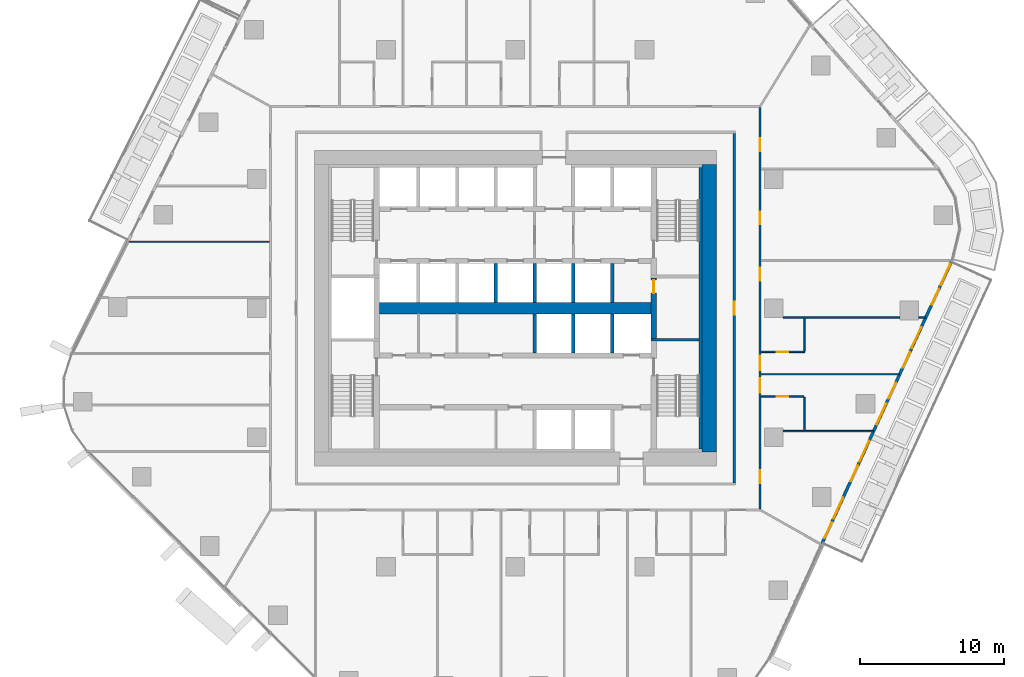
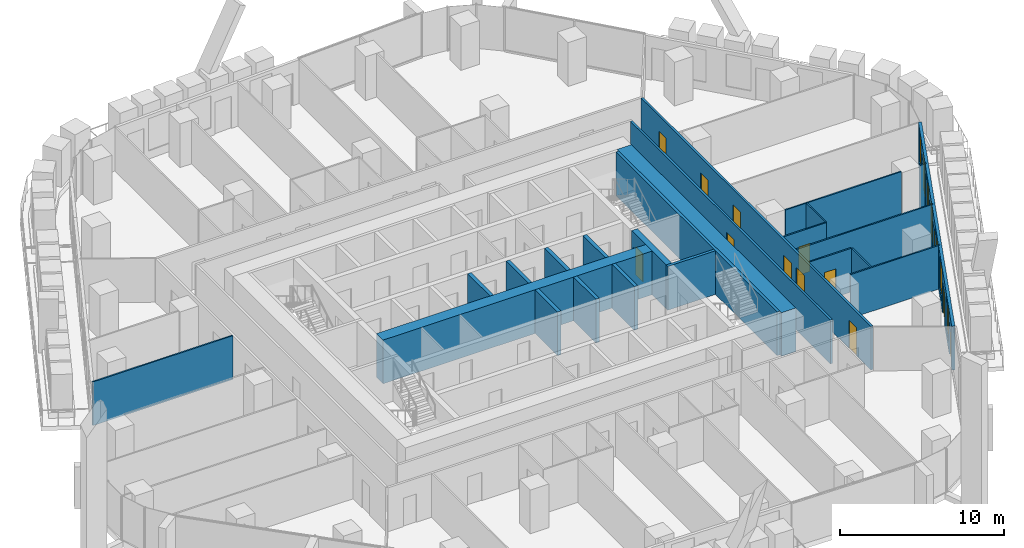
# One storey, part 15 of 26: 24 walls, 15 doors, 5 windows, 20 openings.
"""IFC4 building model written with IfcOpenShell, lengths in metres."""

import ifcopenshell
import ifcopenshell.guid

model = None  # the IFC model being written
_history = None  # IfcOwnerHistory: only IFC2X3 demands one
_inside = {}  # id of a spatial element -> (the spatial element, [elements in it])
_under = {}  # id of a project, library or spatial element -> (it, [spatial elements below it])
_declared = {}  # id of a project -> (the project, [libraries it declares])
_typed = {}  # id of a type object -> (the type object, [elements of that type])
_made_of = {}  # id of a material, layer set ... -> (it, [elements and type objects made of it])


def new_model(schema):
    """Start an empty IFC model of exactly this schema.

    Asked for "IFC4X3", IfcOpenShell would pick the latest addendum, in which some entities
    have other attributes; the version numbers below select the first issue.
    IFC2X3 requires an IfcOwnerHistory on every rooted entity: one is made here for all.
    """
    global model, _history
    if schema == "IFC4X3":
        model = ifcopenshell.file(schema_version=(4, 3, 0, 0))
    else:
        model = ifcopenshell.file(schema=schema)
    _inside.clear()
    _under.clear()
    _declared.clear()
    _typed.clear()
    _made_of.clear()
    _history = None
    if model.schema == "IFC2X3":
        org = make("IfcOrganization", Name="unknown")
        user = make(
            "IfcPersonAndOrganization",
            ThePerson=make("IfcPerson", FamilyName="unknown"),
            TheOrganization=org,
        )
        app = make(
            "IfcApplication",
            ApplicationDeveloper=org,
            Version="unknown",
            ApplicationFullName="unknown",
            ApplicationIdentifier="unknown",
        )
        _history = make(
            "IfcOwnerHistory",
            OwningUser=user,
            OwningApplication=app,
            ChangeAction="ADDED",
            CreationDate=0,
        )
    return model


def make(cls, **values):
    """One entity of the class cls with the attributes given. An attribute that is None is left unset."""
    return model.create_entity(
        cls, **{name: value for name, value in values.items() if value is not None}
    )


def rooted(cls, **values):
    """An entity with a GlobalId (a new one), such as an element, a storey or a relation."""
    return make(cls, GlobalId=ifcopenshell.guid.new(), OwnerHistory=_history, **values)


def si_unit(unit_type, name, prefix=None):
    """IfcSIUnit, for example si_unit("LENGTHUNIT", "METRE", prefix="MILLI")."""
    return make("IfcSIUnit", UnitType=unit_type, Prefix=prefix, Name=name)


def assignment(units):
    """IfcUnitAssignment: the units of a project."""
    return None if units is None else make("IfcUnitAssignment", Units=units)


def point(xyz):
    """IfcCartesianPoint."""
    return None if xyz is None else make("IfcCartesianPoint", Coordinates=xyz)


def direction(xyz):
    """IfcDirection."""
    return None if xyz is None else make("IfcDirection", DirectionRatios=xyz)


def frame(location, z_axis=None, x_axis=None):
    """IfcAxis2Placement3D, a coordinate frame: its origin and axes. An axis left out is left unset."""
    return make(
        "IfcAxis2Placement3D",
        Location=point(location),
        Axis=direction(z_axis),
        RefDirection=direction(x_axis),
    )


def frame_2d(location, x_axis=None):
    """IfcAxis2Placement2D, a coordinate frame in the plane: its origin and x axis."""
    return make(
        "IfcAxis2Placement2D", Location=point(location), RefDirection=direction(x_axis)
    )


def origin():
    """The frame at (0, 0, 0) with its axes left unset."""
    return frame((0.0, 0.0, 0.0))


def place(relative_to, where):
    """IfcLocalPlacement: puts the frame where relative to a parent placement (None: the world)."""
    return make(
        "IfcLocalPlacement", PlacementRelTo=relative_to, RelativePlacement=where
    )


def context(
    kind, dimensions, precision=None, world=None, true_north=None, identifier=None
):
    """IfcGeometricRepresentationContext, for example the 3D "Model" context."""
    return make(
        "IfcGeometricRepresentationContext",
        ContextIdentifier=identifier,
        ContextType=kind,
        CoordinateSpaceDimension=dimensions,
        Precision=precision,
        WorldCoordinateSystem=world,
        TrueNorth=true_north,
    )


def subcontext(parent, identifier, kind, view, scale=None):
    """IfcGeometricRepresentationSubContext, for example "Body" below "Model"."""
    return make(
        "IfcGeometricRepresentationSubContext",
        ContextIdentifier=identifier,
        ContextType=kind,
        ParentContext=parent,
        TargetScale=scale,
        TargetView=view,
    )


def project(units=None, contexts=None):
    """IfcProject with its units and contexts."""
    return rooted(
        "IfcProject",
        Name="project",
        RepresentationContexts=contexts,
        UnitsInContext=assignment(units),
    )


def spatial(cls, under=None, at=None, **own):
    """A site, building, storey or space (cls), placed at a placement, below another one or the project."""
    s = rooted(cls, ObjectPlacement=at, **own)
    if under is not None:
        _under.setdefault(under.id(), (under, []))[1].append(s)
    return s


def profile(cls, at=None, kind="AREA", **sizes):
    """A parametric profile (cls). Its sizes go by their IFC names, for example OverallWidth=200.0."""
    return make(cls, ProfileType=kind, Position=at, **sizes)


def rectangle(**sizes):
    """IfcRectangleProfileDef."""
    return profile("IfcRectangleProfileDef", **sizes)


def extrude(swept, where, along, depth):
    """IfcExtrudedAreaSolid: the profile swept, set in the frame where, extruded along a direction by depth."""
    return make(
        "IfcExtrudedAreaSolid",
        SweptArea=swept,
        Position=where,
        ExtrudedDirection=direction(along),
        Depth=depth,
    )


def shape(context_of_items, identifier, shape_type, items):
    """IfcShapeRepresentation: the items that make up one representation, for example the "Body"."""
    return make(
        "IfcShapeRepresentation",
        ContextOfItems=context_of_items,
        RepresentationIdentifier=identifier,
        RepresentationType=shape_type,
        Items=items,
    )


def material(Name=None, Category=None):
    """IfcMaterial."""
    return make("IfcMaterial", Name=Name, Category=Category)


def layer(
    of_material, thickness, ventilated=None, Name=None, Category=None, Priority=None
):
    """IfcMaterialLayer: one layer of a wall or slab, of a material (None: an air gap)."""
    return make(
        "IfcMaterialLayer",
        Material=of_material,
        LayerThickness=thickness,
        IsVentilated=ventilated,
        Name=Name,
        Category=Category,
        Priority=Priority,
    )


def layer_set(layers, Name=None):
    """IfcMaterialLayerSet."""
    return make("IfcMaterialLayerSet", MaterialLayers=layers, LayerSetName=Name)


def made_of(thing, what):
    """Note that an element or type object is made of a material, layer set ...; save() writes the relation."""
    if what is not None:
        _made_of.setdefault(what.id(), (what, []))[1].append(thing)
    return thing


def type_object(cls, material=None, **own):
    """A type object (cls), such as IfcWallType, which elements share."""
    return made_of(rooted(cls, **own), material)


def element(
    cls,
    number,
    at=None,
    inside=None,
    cuts=None,
    type_object=None,
    material=None,
    context=None,
    identifier="Body",
    shape_type=None,
    held_by="IfcProductDefinitionShape",
    body=None,
    shapes=None,
    **own,
):
    """One element of the class cls, such as IfcWall. Its Tag is "e" and its number.

    at: its placement. inside: the storey or other place that contains it. cuts: it is an
    opening in that element (IfcRelVoidsElement). A single representation is given by context,
    identifier, shape_type and body (its items); several are given by shapes. held_by: the class
    of the entity that holds the representations. save() writes the other relations.
    """
    e = rooted(cls, Tag="e%d" % number, ObjectPlacement=at, **own)
    if body is not None:
        shapes = [shape(context, identifier, shape_type, body)]
    if shapes is not None:
        e.Representation = make(held_by, Representations=shapes)
    if inside is not None:
        _inside.setdefault(inside.id(), (inside, []))[1].append(e)
    if cuts is not None:
        rooted(
            "IfcRelVoidsElement", RelatingBuildingElement=cuts, RelatedOpeningElement=e
        )
    if type_object is not None:
        _typed.setdefault(type_object.id(), (type_object, []))[1].append(e)
    return made_of(e, material)


def fill(opening, filler):
    """IfcRelFillsElement: the door or window that sits in an opening."""
    return rooted(
        "IfcRelFillsElement",
        RelatingOpeningElement=opening,
        RelatedBuildingElement=filler,
    )


def aggregate(whole, parts):
    """IfcRelAggregates: a whole, such as a stair, and the parts it consists of."""
    return rooted("IfcRelAggregates", RelatingObject=whole, RelatedObjects=parts)


def save(model, path):
    """Write the relations noted so far, then the file.

    IfcRelAggregates (storeys below a building ...), IfcRelContainedInSpatialStructure (elements
    in a storey), IfcRelDefinesByType, IfcRelAssociatesMaterial and IfcRelDeclares: one each for
    every whole, place, type object, material and project.
    """
    for whole, parts in _under.values():
        aggregate(whole, parts)
    for where, things in _inside.values():
        rooted(
            "IfcRelContainedInSpatialStructure",
            RelatedElements=things,
            RelatingStructure=where,
        )
    for kind, things in _typed.values():
        rooted("IfcRelDefinesByType", RelatedObjects=things, RelatingType=kind)
    for what, things in _made_of.values():
        rooted("IfcRelAssociatesMaterial", RelatedObjects=things, RelatingMaterial=what)
    for by, libraries in _declared.values():
        rooted("IfcRelDeclares", RelatingContext=by, RelatedDefinitions=libraries)
    model.write(path)


model = new_model("IFC4")

# Units and contexts
model_context = context("Model", 3, precision=1e-05, world=origin(), true_north=direction((0.0, 1.0)))
body_context = subcontext(model_context, "Body", "Model", "MODEL_VIEW")
ifc_project = project(units=[si_unit("LENGTHUNIT", "METRE"), si_unit("AREAUNIT", "SQUARE_METRE"), si_unit("VOLUMEUNIT", "CUBIC_METRE"), si_unit("PLANEANGLEUNIT", "RADIAN"), si_unit("MASSUNIT", "GRAM", prefix="KILO")], contexts=[model_context])

# Site, building, storey
site_placement = place(None, origin())
site = spatial("IfcSite", under=ifc_project, at=site_placement, CompositionType="ELEMENT")
building_placement = place(site_placement, origin())
building = spatial("IfcBuilding", under=site, at=building_placement, Name="Dongbaek Canopy Tower", CompositionType="ELEMENT")
storey_placement = place(building_placement, frame((0.0, 0.0, 95.199951171875)))
storey = spatial("IfcBuildingStorey", under=building, at=storey_placement, Name="L19", CompositionType="ELEMENT", Elevation=95.199951171875)

# Walls
ifc_material_1 = material(Name="Concrete C60/75", Category="concrete")
ifc_layer_1 = layer(ifc_material_1, 0.800048828125)
ifc_layer_set_1 = layer_set([ifc_layer_1], Name="Core central wall 800 Concrete C60/75")
wall_type_1 = type_object("IfcWallType", Name="Core central wall 800 Concrete C60/75", PredefinedType="SHEAR", material=ifc_layer_set_1)
wall_1_placement = place(storey_placement, frame((-9.449951171875, 0.0, 0.0), z_axis=(0.0, 0.0, 1.0), x_axis=(1.0, 0.0, 0.0)))
element("IfcWall", 1, at=wall_1_placement, inside=storey, type_object=wall_type_1, Name="Core wall", PredefinedType="SHEAR", context=body_context, shape_type="SweptSolid", body=[
    extrude(rectangle(XDim=18.89990234375, YDim=0.800048828125, at=frame_2d((9.449951171875, 0.0))), origin(), (0.0, 0.0, 1.0), 3.25),
])
ifc_material_2 = material(Name="Concrete C60/75", Category="concrete")
ifc_layer_2 = layer(ifc_material_2, 1.0)
ifc_layer_set_2 = layer_set([ifc_layer_2], Name="Core outer wall 1000 Concrete C60/75")
wall_type_2 = type_object("IfcWallType", Name="Core outer wall 1000 Concrete C60/75", PredefinedType="SHEAR", material=ifc_layer_set_2)
wall_2_placement = place(storey_placement, frame((13.5, 10.0, 0.0), z_axis=(0.0, 0.0, 1.0), x_axis=(0.0, -1.0, 0.0)))
element("IfcWall", 2, at=wall_2_placement, inside=storey, type_object=wall_type_2, Name="Core wall", PredefinedType="SHEAR", context=body_context, shape_type="SweptSolid", body=[
    extrude(rectangle(XDim=20.0, YDim=1.0, at=frame_2d((10.0, 0.0))), origin(), (0.0, 0.0, 1.0), 3.25),
])
ifc_material_3 = material(Name="Concrete C60/75", Category="concrete")
ifc_layer_3 = layer(ifc_material_3, 0.199951171875)
ifc_layer_set_3 = layer_set([ifc_layer_3], Name="Core wall lining 200 Concrete C60/75")
wall_type_3 = type_object("IfcWallType", Name="Core wall lining 200 Concrete C60/75", PredefinedType="SHEAR", material=ifc_layer_set_3)
wall_3_placement = place(storey_placement, frame((12.89990234375, 9.800048828125, 0.0), z_axis=(0.0, 0.0, 1.0), x_axis=(0.0, -1.0, 0.0)))
element("IfcWall", 3, at=wall_3_placement, inside=storey, type_object=wall_type_3, Name="Core wall lining", PredefinedType="SHEAR", context=body_context, shape_type="SweptSolid", body=[
    extrude(rectangle(XDim=19.60009765625, YDim=0.199951171875, at=frame_2d((9.800048828125, 0.0))), origin(), (0.0, 0.0, 1.0), 3.25),
])

# Wall, openings, doors
ifc_material_4 = material(Name="Gypsum board partition, steel stud, 2 x 15 mm fire board", Category="steel")
ifc_layer_4 = layer(ifc_material_4, 0.14990234375)
ifc_layer_set_4 = layer_set([ifc_layer_4], Name="Fire-rated partition 150 gypsum board")
wall_type_4 = type_object("IfcWallType", Name="Fire-rated partition 150 gypsum board", PredefinedType="PARTITIONING", material=ifc_layer_set_4)
wall_4_placement = place(storey_placement, frame((17.050048828125, 13.97509765625, 0.0), z_axis=(0.0, 0.0, 1.0), x_axis=(0.0, -1.0, 0.0)))
wall_4 = element("IfcWall", 4, at=wall_4_placement, inside=storey, type_object=wall_type_4, Name="Corridor partition", PredefinedType="PARTITIONING", context=body_context, shape_type="SweptSolid", body=[
    extrude(rectangle(XDim=27.9501953125, YDim=0.14990234375, at=frame_2d((13.97509765625, 0.0))), origin(), (0.0, 0.0, 1.0), 3.25),
])
opening_1_placement = place(wall_4_placement, frame((25.273681640625, 0.0, 0.0)))
opening_1 = element("IfcOpeningElement", 5, at=opening_1_placement, cuts=wall_4, Name="Opening L19-D017", PredefinedType="OPENING", context=body_context, shape_type="SweptSolid", body=[
    extrude(rectangle(XDim=0.89990234375, YDim=2.10009765625, at=frame_2d((0.449951171875, 1.050048828125))), frame((0.0, 0.0849609375, 0.0), z_axis=(0.0, -1.0, 0.0), x_axis=(1.0, 0.0, 0.0)), (0.0, 0.0, 1.0), 0.169921875),
])
opening_2_placement = place(wall_4_placement, frame((18.85400390625, 0.0, 0.0)))
opening_2 = element("IfcOpeningElement", 6, at=opening_2_placement, cuts=wall_4, Name="Opening L19-D019", PredefinedType="OPENING", context=body_context, shape_type="SweptSolid", body=[
    extrude(rectangle(XDim=1.0, YDim=2.10009765625, at=frame_2d((0.5, 1.050048828125))), frame((0.0, 0.0849609375, 0.0), z_axis=(0.0, -1.0, 0.0), x_axis=(1.0, 0.0, 0.0)), (0.0, 0.0, 1.0), 0.169921875),
])
opening_3_placement = place(wall_4_placement, frame((17.298583984375, 0.0, 0.0)))
opening_3 = element("IfcOpeningElement", 7, at=opening_3_placement, cuts=wall_4, Name="Opening L19-D021", PredefinedType="OPENING", context=body_context, shape_type="SweptSolid", body=[
    extrude(rectangle(XDim=1.0, YDim=2.10009765625, at=frame_2d((0.5, 1.050048828125))), frame((0.0, 0.0849609375, 0.0), z_axis=(0.0, -1.0, 0.0), x_axis=(1.0, 0.0, 0.0)), (0.0, 0.0, 1.0), 0.169921875),
])
opening_4_placement = place(wall_4_placement, frame((11.170654296875, 0.0, 0.0)))
opening_4 = element("IfcOpeningElement", 8, at=opening_4_placement, cuts=wall_4, Name="Opening L19-D022", PredefinedType="OPENING", context=body_context, shape_type="SweptSolid", body=[
    extrude(rectangle(XDim=0.89990234375, YDim=2.10009765625, at=frame_2d((0.449951171875, 1.050048828125))), frame((0.0, 0.0849609375, 0.0), z_axis=(0.0, -1.0, 0.0), x_axis=(1.0, 0.0, 0.0)), (0.0, 0.0, 1.0), 0.169921875),
])
opening_5_placement = place(wall_4_placement, frame((7.242919921875, 0.0, 0.0)))
opening_5 = element("IfcOpeningElement", 9, at=opening_5_placement, cuts=wall_4, Name="Opening L19-D023", PredefinedType="OPENING", context=body_context, shape_type="SweptSolid", body=[
    extrude(rectangle(XDim=0.89990234375, YDim=2.10009765625, at=frame_2d((0.449951171875, 1.050048828125))), frame((0.0, 0.0849609375, 0.0), z_axis=(0.0, -1.0, 0.0), x_axis=(1.0, 0.0, 0.0)), (0.0, 0.0, 1.0), 0.169921875),
])
opening_6_placement = place(wall_4_placement, frame((2.15283203125, 0.0, 0.0)))
opening_6 = element("IfcOpeningElement", 10, at=opening_6_placement, cuts=wall_4, Name="Opening L19-D024", PredefinedType="OPENING", context=body_context, shape_type="SweptSolid", body=[
    extrude(rectangle(XDim=0.89990234375, YDim=2.10009765625, at=frame_2d((0.449951171875, 1.050048828125))), frame((0.0, 0.0849609375, 0.0), z_axis=(0.0, -1.0, 0.0), x_axis=(1.0, 0.0, 0.0)), (0.0, 0.0, 1.0), 0.169921875),
])
ifc_material_5 = material(Name="Timber veneered door leaf", Category="wood")
door_type_1 = type_object("IfcDoorType", Name="Guest room door 1000 x 2100", OperationType="SINGLE_SWING_LEFT", PredefinedType="DOOR", material=ifc_material_5)
door_1_placement = place(opening_2_placement, origin())
door_1 = element("IfcDoor", 11, at=door_1_placement, inside=storey, type_object=door_type_1, Name="Door L19-D019", OperationType="SINGLE_SWING_RIGHT", OverallHeight=2.10009765625, OverallWidth=1.0, PredefinedType="DOOR", context=body_context, shape_type="SweptSolid", body=[
    extrude(rectangle(XDim=1.0, YDim=2.10009765625, at=frame_2d((0.5, 1.050048828125))), frame((0.0, 0.02490234375, 0.0), z_axis=(0.0, -1.0, 0.0), x_axis=(1.0, 0.0, 0.0)), (0.0, 0.0, 1.0), 0.050048828125),
])
fill(opening_2, door_1)
door_2_placement = place(opening_3_placement, origin())
door_2 = element("IfcDoor", 12, at=door_2_placement, inside=storey, type_object=door_type_1, Name="Door L19-D021", OperationType="SINGLE_SWING_LEFT", OverallHeight=2.10009765625, OverallWidth=1.0, PredefinedType="DOOR", context=body_context, shape_type="SweptSolid", body=[
    extrude(rectangle(XDim=1.0, YDim=2.10009765625, at=frame_2d((0.5, 1.050048828125))), frame((0.0, 0.02490234375, 0.0), z_axis=(0.0, -1.0, 0.0), x_axis=(1.0, 0.0, 0.0)), (0.0, 0.0, 1.0), 0.050048828125),
])
fill(opening_3, door_2)
ifc_material_6 = material(Name="Timber veneered door leaf", Category="wood")
door_type_2 = type_object("IfcDoorType", Name="Room door 900 x 2100", OperationType="SINGLE_SWING_LEFT", PredefinedType="DOOR", material=ifc_material_6)
door_3_placement = place(opening_1_placement, origin())
door_3 = element("IfcDoor", 13, at=door_3_placement, inside=storey, type_object=door_type_2, Name="Door L19-D017", OperationType="SINGLE_SWING_LEFT", OverallHeight=2.10009765625, OverallWidth=0.89990234375, PredefinedType="DOOR", context=body_context, shape_type="SweptSolid", body=[
    extrude(rectangle(XDim=0.89990234375, YDim=2.10009765625, at=frame_2d((0.449951171875, 1.050048828125))), frame((0.0, 0.02490234375, 0.0), z_axis=(0.0, -1.0, 0.0), x_axis=(1.0, 0.0, 0.0)), (0.0, 0.0, 1.0), 0.050048828125),
])
fill(opening_1, door_3)
door_4_placement = place(opening_4_placement, origin())
door_4 = element("IfcDoor", 14, at=door_4_placement, inside=storey, type_object=door_type_2, Name="Door L19-D022", OperationType="SINGLE_SWING_RIGHT", OverallHeight=2.10009765625, OverallWidth=0.89990234375, PredefinedType="DOOR", context=body_context, shape_type="SweptSolid", body=[
    extrude(rectangle(XDim=0.89990234375, YDim=2.10009765625, at=frame_2d((0.449951171875, 1.050048828125))), frame((0.0, 0.02490234375, 0.0), z_axis=(0.0, -1.0, 0.0), x_axis=(1.0, 0.0, 0.0)), (0.0, 0.0, 1.0), 0.050048828125),
])
fill(opening_4, door_4)
door_5_placement = place(opening_5_placement, origin())
door_5 = element("IfcDoor", 15, at=door_5_placement, inside=storey, type_object=door_type_2, Name="Door L19-D023", OperationType="SINGLE_SWING_LEFT", OverallHeight=2.10009765625, OverallWidth=0.89990234375, PredefinedType="DOOR", context=body_context, shape_type="SweptSolid", body=[
    extrude(rectangle(XDim=0.89990234375, YDim=2.10009765625, at=frame_2d((0.449951171875, 1.050048828125))), frame((0.0, 0.02490234375, 0.0), z_axis=(0.0, -1.0, 0.0), x_axis=(1.0, 0.0, 0.0)), (0.0, 0.0, 1.0), 0.050048828125),
])
fill(opening_5, door_5)
door_6_placement = place(opening_6_placement, origin())
door_6 = element("IfcDoor", 16, at=door_6_placement, inside=storey, type_object=door_type_2, Name="Door L19-D024", OperationType="SINGLE_SWING_RIGHT", OverallHeight=2.10009765625, OverallWidth=0.89990234375, PredefinedType="DOOR", context=body_context, shape_type="SweptSolid", body=[
    extrude(rectangle(XDim=0.89990234375, YDim=2.10009765625, at=frame_2d((0.449951171875, 1.050048828125))), frame((0.0, 0.02490234375, 0.0), z_axis=(0.0, -1.0, 0.0), x_axis=(1.0, 0.0, 0.0)), (0.0, 0.0, 1.0), 0.050048828125),
])
fill(opening_6, door_6)

# Wall, opening, door
wall_5_placement = place(storey_placement, frame((15.25, -12.175048828125, 0.0), z_axis=(0.0, 0.0, 1.0), x_axis=(0.0, 1.0, 0.0)))
wall_5 = element("IfcWall", 17, at=wall_5_placement, inside=storey, type_object=wall_type_4, Name="Corridor partition", PredefinedType="PARTITIONING", context=body_context, shape_type="SweptSolid", body=[
    extrude(rectangle(XDim=24.35009765625, YDim=0.14990234375, at=frame_2d((12.175048828125, 0.0))), origin(), (0.0, 0.0, 1.0), 3.25),
])
opening_7_placement = place(wall_5_placement, frame((11.72509765625, 0.0, 0.0)))
opening_7 = element("IfcOpeningElement", 18, at=opening_7_placement, cuts=wall_5, Name="Opening L19-D040", PredefinedType="OPENING", context=body_context, shape_type="SweptSolid", body=[
    extrude(rectangle(XDim=0.89990234375, YDim=2.10009765625, at=frame_2d((0.449951171875, 1.050048828125))), frame((0.0, 0.0849609375, 0.0), z_axis=(0.0, -1.0, 0.0), x_axis=(1.0, 0.0, 0.0)), (0.0, 0.0, 1.0), 0.169921875),
])
door_7_placement = place(opening_7_placement, origin())
door_7 = element("IfcDoor", 19, at=door_7_placement, inside=storey, type_object=door_type_2, Name="Door L19-D040", OperationType="SINGLE_SWING_LEFT", OverallHeight=2.10009765625, OverallWidth=0.89990234375, PredefinedType="DOOR", context=body_context, shape_type="SweptSolid", body=[
    extrude(rectangle(XDim=0.89990234375, YDim=2.10009765625, at=frame_2d((0.449951171875, 1.050048828125))), frame((0.0, 0.02490234375, 0.0), z_axis=(0.0, -1.0, 0.0), x_axis=(1.0, 0.0, 0.0)), (0.0, 0.0, 1.0), 0.050048828125),
])
fill(opening_7, door_7)

# Walls
ifc_material_7 = material(Name="Concrete C40/50", Category="concrete")
ifc_layer_5 = layer(ifc_material_7, 0.25)
ifc_layer_set_5 = layer_set([ifc_layer_5], Name="Lift shaft wall 250 Concrete C40/50")
wall_type_5 = type_object("IfcWallType", Name="Lift shaft wall 250 Concrete C40/50", PredefinedType="SOLIDWALL", material=ifc_layer_set_5)
for number, where, z_axis, x_axis, name in (
    (20, (6.75, -3.125, 0.0), (0.0, 0.0, 1.0), (0.0, 1.0, 0.0), "Lift shaft wall"),
    (21, (6.75, 0.39990234375, 0.0), (0.0, 0.0, 1.0), (0.0, 1.0, 0.0), "Lift shaft wall"),
    (22, (4.050048828125, -3.125, 0.0), (0.0, 0.0, 1.0), (0.0, 1.0, 0.0), "Lift shaft wall"),
    (23, (4.050048828125, 0.39990234375, 0.0), (0.0, 0.0, 1.0), (0.0, 1.0, 0.0), "Lift shaft wall"),
    (24, (1.35009765625, -3.125, 0.0), (0.0, 0.0, 1.0), (0.0, 1.0, 0.0), "Lift shaft wall"),
    (25, (1.35009765625, 0.39990234375, 0.0), (0.0, 0.0, 1.0), (0.0, 1.0, 0.0), "Lift shaft wall"),
    (26, (-1.35009765625, 0.39990234375, 0.0), (0.0, 0.0, 1.0), (0.0, 1.0, 0.0), "Lift shaft wall"),
):
    element("IfcWall", number, at=place(storey_placement, frame(where, z_axis=z_axis, x_axis=x_axis)), inside=storey, type_object=wall_type_5, Name=name, PredefinedType="SOLIDWALL", context=body_context, shape_type="SweptSolid", body=[
        extrude(rectangle(XDim=2.72509765625, YDim=0.25, at=frame_2d((1.362548828125, 0.0))), origin(), (0.0, 0.0, 1.0), 3.25),
    ])
ifc_material_8 = material(Name="Gypsum board partition, steel stud, 2 x 12.5 mm board", Category="steel")
ifc_layer_6 = layer(ifc_material_8, 0.10009765625)
ifc_layer_set_6 = layer_set([ifc_layer_6], Name="Partition 100 gypsum board")
wall_type_6 = type_object("IfcWallType", Name="Partition 100 gypsum board", PredefinedType="PARTITIONING", material=ifc_layer_set_6)
wall_6_placement = place(storey_placement, frame((18.64990234375, -8.556884765625, 0.0), z_axis=(0.0, 0.0, 1.0), x_axis=(1.0, 0.0, 0.0)))
element("IfcWall", 27, at=wall_6_placement, inside=storey, type_object=wall_type_6, Name="Partition", PredefinedType="PARTITIONING", context=body_context, shape_type="SweptSolid", body=[
    extrude(rectangle(XDim=6.288330078125, YDim=0.10009765625, at=frame_2d((3.14404296875, 0.0))), origin(), (0.0, 0.0, 1.0), 3.25),
])

# Wall, opening, door
wall_7_placement = place(storey_placement, frame((20.10009765625, -6.156982421875, 0.0), z_axis=(0.0, 0.0, 1.0), x_axis=(-1.0, 0.0, 0.0)))
wall_7 = element("IfcWall", 28, at=wall_7_placement, inside=storey, type_object=wall_type_6, Name="Partition", PredefinedType="PARTITIONING", context=body_context, shape_type="SweptSolid", body=[
    extrude(rectangle(XDim=2.97509765625, YDim=0.10009765625, at=frame_2d((1.487548828125, 0.0))), origin(), (0.0, 0.0, 1.0), 3.25),
])
opening_8_placement = place(wall_7_placement, frame((1.10009765625, 0.0, 0.0)))
opening_8 = element("IfcOpeningElement", 29, at=opening_8_placement, cuts=wall_7, Name="Opening L19-D018", PredefinedType="OPENING", context=body_context, shape_type="SweptSolid", body=[
    extrude(rectangle(XDim=0.800048828125, YDim=2.10009765625, at=frame_2d((0.39990234375, 1.050048828125))), frame((0.0, 0.06005859375, 0.0), z_axis=(0.0, -1.0, 0.0), x_axis=(1.0, 0.0, 0.0)), (0.0, 0.0, 1.0), 0.1201171875),
])
ifc_material_9 = material(Name="Timber veneered door leaf", Category="wood")
door_type_3 = type_object("IfcDoorType", Name="En-suite door 800 x 2100", OperationType="SINGLE_SWING_LEFT", PredefinedType="DOOR", material=ifc_material_9)
door_8_placement = place(opening_8_placement, origin())
door_8 = element("IfcDoor", 30, at=door_8_placement, inside=storey, type_object=door_type_3, Name="Door L19-D018", OperationType="SINGLE_SWING_LEFT", OverallHeight=2.10009765625, OverallWidth=0.800048828125, PredefinedType="DOOR", context=body_context, shape_type="SweptSolid", body=[
    extrude(rectangle(XDim=0.800048828125, YDim=2.10009765625, at=frame_2d((0.39990234375, 1.050048828125))), frame((0.0, 0.02490234375, 0.0), z_axis=(0.0, -1.0, 0.0), x_axis=(1.0, 0.0, 0.0)), (0.0, 0.0, 1.0), 0.050048828125),
])
fill(opening_8, door_8)

# Wall
wall_8_placement = place(storey_placement, frame((17.125, -4.60107421875, 0.0), z_axis=(0.0, 0.0, 1.0), x_axis=(1.0, 0.0, 0.0)))
element("IfcWall", 31, at=wall_8_placement, inside=storey, type_object=wall_type_6, Name="Partition", PredefinedType="PARTITIONING", context=body_context, shape_type="SweptSolid", body=[
    extrude(rectangle(XDim=9.628662109375, YDim=0.10009765625, at=frame_2d((4.814453125, 0.0))), origin(), (0.0, 0.0, 1.0), 3.25),
])

# Wall, opening, door
wall_9_placement = place(storey_placement, frame((17.125, -3.0458984375, 0.0), z_axis=(0.0, 0.0, 1.0), x_axis=(1.0, 0.0, 0.0)))
wall_9 = element("IfcWall", 32, at=wall_9_placement, inside=storey, type_object=wall_type_6, Name="Partition", PredefinedType="PARTITIONING", context=body_context, shape_type="SweptSolid", body=[
    extrude(rectangle(XDim=3.02490234375, YDim=0.10009765625, at=frame_2d((1.512451171875, 0.0))), origin(), (0.0, 0.0, 1.0), 3.25),
])
opening_9_placement = place(wall_9_placement, frame((1.074951171875, 0.0, 0.0)))
opening_9 = element("IfcOpeningElement", 33, at=opening_9_placement, cuts=wall_9, Name="Opening L19-D020", PredefinedType="OPENING", context=body_context, shape_type="SweptSolid", body=[
    extrude(rectangle(XDim=0.800048828125, YDim=2.10009765625, at=frame_2d((0.39990234375, 1.050048828125))), frame((0.0, 0.06005859375, 0.0), z_axis=(0.0, -1.0, 0.0), x_axis=(1.0, 0.0, 0.0)), (0.0, 0.0, 1.0), 0.1201171875),
])
door_9_placement = place(opening_9_placement, origin())
door_9 = element("IfcDoor", 34, at=door_9_placement, inside=storey, type_object=door_type_3, Name="Door L19-D020", OperationType="SINGLE_SWING_RIGHT", OverallHeight=2.10009765625, OverallWidth=0.800048828125, PredefinedType="DOOR", context=body_context, shape_type="SweptSolid", body=[
    extrude(rectangle(XDim=0.800048828125, YDim=2.10009765625, at=frame_2d((0.39990234375, 1.050048828125))), frame((0.0, 0.02490234375, 0.0), z_axis=(0.0, -1.0, 0.0), x_axis=(1.0, 0.0, 0.0)), (0.0, 0.0, 1.0), 0.050048828125),
])
fill(opening_9, door_9)

# Walls
wall_10_placement = place(storey_placement, frame((18.64990234375, -0.64599609375, 0.0), z_axis=(0.0, 0.0, 1.0), x_axis=(1.0, 0.0, 0.0)))
element("IfcWall", 35, at=wall_10_placement, inside=storey, type_object=wall_type_6, Name="Partition", PredefinedType="PARTITIONING", context=body_context, shape_type="SweptSolid", body=[
    extrude(rectangle(XDim=8.135986328125, YDim=0.10009765625, at=frame_2d((4.06787109375, 0.0))), origin(), (0.0, 0.0, 1.0), 3.25),
])
wall_11_placement = place(storey_placement, frame((28.0859375, -0.64599609375, 0.0), z_axis=(0.0, 0.0, 1.0), x_axis=(1.0, 0.0, 0.0)))
element("IfcWall", 36, at=wall_11_placement, inside=storey, type_object=wall_type_6, Name="Partition", PredefinedType="PARTITIONING", context=body_context, shape_type="SweptSolid", body=[
    extrude(rectangle(XDim=0.483154296875, YDim=0.10009765625, at=frame_2d((0.24169921875, 0.0))), origin(), (0.0, 0.0, 1.0), 3.25),
])
wall_12_placement = place(storey_placement, frame((-26.965087890625, 4.6279296875, 0.0), z_axis=(0.0, 0.0, 1.0), x_axis=(1.0, 0.0, 0.0)))
element("IfcWall", 37, at=wall_12_placement, inside=storey, type_object=wall_type_6, Name="Partition", PredefinedType="PARTITIONING", context=body_context, shape_type="SweptSolid", body=[
    extrude(rectangle(XDim=9.840087890625, YDim=0.10009765625, at=frame_2d((4.919921875, 0.0))), origin(), (0.0, 0.0, 1.0), 3.25),
])
wall_13_placement = place(storey_placement, frame((20.14990234375, -8.5068359375, 0.0), z_axis=(0.0, 0.0, 1.0), x_axis=(0.0, 1.0, 0.0)))
element("IfcWall", 38, at=wall_13_placement, inside=storey, type_object=wall_type_6, Name="Partition", PredefinedType="PARTITIONING", context=body_context, shape_type="SweptSolid", body=[
    extrude(rectangle(XDim=2.300048828125, YDim=0.10009765625, at=frame_2d((1.14990234375, 0.0))), origin(), (0.0, 0.0, 1.0), 3.25),
])
wall_14_placement = place(storey_placement, frame((20.14990234375, -2.99560546875, 0.0), z_axis=(0.0, 0.0, 1.0), x_axis=(0.0, 1.0, 0.0)))
element("IfcWall", 39, at=wall_14_placement, inside=storey, type_object=wall_type_6, Name="Partition", PredefinedType="PARTITIONING", context=body_context, shape_type="SweptSolid", body=[
    extrude(rectangle(XDim=2.299560546875, YDim=0.10009765625, at=frame_2d((1.14990234375, 0.0))), origin(), (0.0, 0.0, 1.0), 3.25),
])
ifc_material_10 = material(Name="Concrete C60/75", Category="concrete")
ifc_layer_7 = layer(ifc_material_10, 0.199951171875)
ifc_layer_set_7 = layer_set([ifc_layer_7], Name="Riser wall 200 Concrete C60/75")
wall_type_7 = type_object("IfcWallType", Name="Riser wall 200 Concrete C60/75", PredefinedType="SHEAR", material=ifc_layer_set_7)
wall_15_placement = place(storey_placement, frame((9.449951171875, -2.199951171875, 0.0), z_axis=(0.0, 0.0, 1.0), x_axis=(1.0, 0.0, 0.0)))
element("IfcWall", 40, at=wall_15_placement, inside=storey, type_object=wall_type_7, Name="Riser wall", PredefinedType="SHEAR", context=body_context, shape_type="SweptSolid", body=[
    extrude(rectangle(XDim=3.35009765625, YDim=0.199951171875, at=frame_2d((1.675048828125, 0.0))), origin(), (0.0, 0.0, 1.0), 3.25),
])

# Wall, opening, door
ifc_material_11 = material(Name="Concrete C60/75", Category="concrete")
ifc_layer_8 = layer(ifc_material_11, 0.39990234375)
ifc_layer_set_8 = layer_set([ifc_layer_8], Name="Stair wall 400 Concrete C60/75")
wall_type_8 = type_object("IfcWallType", Name="Stair wall 400 Concrete C60/75", PredefinedType="SHEAR", material=ifc_layer_set_8)
wall_16_placement = place(storey_placement, frame((9.64990234375, 2.10009765625, 0.0), z_axis=(0.0, 0.0, 1.0), x_axis=(0.0, -1.0, 0.0)))
wall_16 = element("IfcWall", 41, at=wall_16_placement, inside=storey, type_object=wall_type_8, Name="Stair wall", PredefinedType="SHEAR", context=body_context, shape_type="SweptSolid", body=[
    extrude(rectangle(XDim=4.2001953125, YDim=0.39990234375, at=frame_2d((2.10009765625, 0.0))), origin(), (0.0, 0.0, 1.0), 3.25),
])
opening_10_placement = place(wall_16_placement, frame((0.14990234375, 0.0, 0.0)))
opening_10 = element("IfcOpeningElement", 42, at=opening_10_placement, cuts=wall_16, Name="Opening L19-D041", PredefinedType="OPENING", context=body_context, shape_type="SweptSolid", body=[
    extrude(rectangle(XDim=0.89990234375, YDim=2.10009765625, at=frame_2d((0.449951171875, 1.050048828125))), frame((0.0, 0.2099609375, 0.0), z_axis=(0.0, -1.0, 0.0), x_axis=(1.0, 0.0, 0.0)), (0.0, 0.0, 1.0), 0.419921875),
])
ifc_material_12 = material(Name="Steel", Category="steel")
door_type_4 = type_object("IfcDoorType", Name="Core room door 900 x 2100", OperationType="SINGLE_SWING_LEFT", PredefinedType="DOOR", material=ifc_material_12)
door_10_placement = place(opening_10_placement, origin())
door_10 = element("IfcDoor", 43, at=door_10_placement, inside=storey, type_object=door_type_4, Name="Door L19-D041", OperationType="SINGLE_SWING_RIGHT", OverallHeight=2.10009765625, OverallWidth=0.89990234375, PredefinedType="DOOR", context=body_context, shape_type="SweptSolid", body=[
    extrude(rectangle(XDim=0.89990234375, YDim=2.10009765625, at=frame_2d((0.449951171875, 1.050048828125))), frame((0.0, 0.02490234375, 0.0), z_axis=(0.0, -1.0, 0.0), x_axis=(1.0, 0.0, 0.0)), (0.0, 0.0, 1.0), 0.050048828125),
])
fill(opening_10, door_10)

# Wall, openings, doors, windows
ifc_material_13 = material(Name="Aluminium window wall", Category="aluminium")
ifc_layer_9 = layer(ifc_material_13, 0.199951171875)
ifc_layer_set_9 = layer_set([ifc_layer_9], Name="Window wall 200")
wall_type_9 = type_object("IfcWallType", Name="Window wall 200", PredefinedType="SOLIDWALL", material=ifc_layer_set_9)
wall_17_placement = place(storey_placement, frame((21.329345703125, -16.468017578125, 0.0), z_axis=(0.0, 0.0, 1.0), x_axis=(0.417117833448, 0.908852415423, 0.0)))
wall_17 = element("IfcWall", 44, at=wall_17_placement, inside=storey, type_object=wall_type_9, Name="Window wall L19 5", PredefinedType="SOLIDWALL", context=body_context, shape_type="SweptSolid", body=[
    extrude(rectangle(XDim=21.761474609375, YDim=0.199951171875, at=frame_2d((10.880859375, 0.0))), origin(), (0.0, 0.0, 1.0), 3.25),
])
opening_11_placement = place(wall_17_placement, frame((2.0, 0.0, 0.60009765625)))
opening_11 = element("IfcOpeningElement", 45, at=opening_11_placement, cuts=wall_17, Name="Opening W1", PredefinedType="OPENING", context=body_context, shape_type="SweptSolid", body=[
    extrude(rectangle(XDim=1.60009765625, YDim=2.39990234375, at=frame_2d((0.800048828125, 1.199951171875))), frame((0.0, 0.10986328125, 0.0), z_axis=(0.0, -1.0, 0.0), x_axis=(1.0, 0.0, 0.0)), (0.0, 0.0, 1.0), 0.219970703125),
])
opening_12_placement = place(wall_17_placement, frame((0.5, 0.0, 0.0)))
opening_12 = element("IfcOpeningElement", 46, at=opening_12_placement, cuts=wall_17, Name="Opening L19-B15", PredefinedType="OPENING", context=body_context, shape_type="SweptSolid", body=[
    extrude(rectangle(XDim=1.199951171875, YDim=2.39990234375, at=frame_2d((0.60009765625, 1.199951171875))), frame((0.0, 0.10986328125, 0.0), z_axis=(0.0, -1.0, 0.0), x_axis=(1.0, 0.0, 0.0)), (0.0, 0.0, 1.0), 0.219970703125),
])
opening_13_placement = place(wall_17_placement, frame((6.352294921875, 0.0, 0.60009765625)))
opening_13 = element("IfcOpeningElement", 47, at=opening_13_placement, cuts=wall_17, Name="Opening W1", PredefinedType="OPENING", context=body_context, shape_type="SweptSolid", body=[
    extrude(rectangle(XDim=1.60009765625, YDim=2.39990234375, at=frame_2d((0.800048828125, 1.199951171875))), frame((0.0, 0.10986328125, 0.0), z_axis=(0.0, -1.0, 0.0), x_axis=(1.0, 0.0, 0.0)), (0.0, 0.0, 1.0), 0.219970703125),
])
opening_14_placement = place(wall_17_placement, frame((4.852294921875, 0.0, 0.0)))
opening_14 = element("IfcOpeningElement", 48, at=opening_14_placement, cuts=wall_17, Name="Opening L19-B16", PredefinedType="OPENING", context=body_context, shape_type="SweptSolid", body=[
    extrude(rectangle(XDim=1.199951171875, YDim=2.39990234375, at=frame_2d((0.60009765625, 1.199951171875))), frame((0.0, 0.10986328125, 0.0), z_axis=(0.0, -1.0, 0.0), x_axis=(1.0, 0.0, 0.0)), (0.0, 0.0, 1.0), 0.219970703125),
])
opening_15_placement = place(wall_17_placement, frame((9.20458984375, 0.0, 0.60009765625)))
opening_15 = element("IfcOpeningElement", 49, at=opening_15_placement, cuts=wall_17, Name="Opening W1", PredefinedType="OPENING", context=body_context, shape_type="SweptSolid", body=[
    extrude(rectangle(XDim=1.60009765625, YDim=2.39990234375, at=frame_2d((0.800048828125, 1.199951171875))), frame((0.0, 0.10986328125, 0.0), z_axis=(0.0, -1.0, 0.0), x_axis=(1.0, 0.0, 0.0)), (0.0, 0.0, 1.0), 0.219970703125),
])
opening_16_placement = place(wall_17_placement, frame((11.20458984375, 0.0, 0.0)))
opening_16 = element("IfcOpeningElement", 50, at=opening_16_placement, cuts=wall_17, Name="Opening L19-B17", PredefinedType="OPENING", context=body_context, shape_type="SweptSolid", body=[
    extrude(rectangle(XDim=1.199951171875, YDim=2.39990234375, at=frame_2d((0.60009765625, 1.199951171875))), frame((0.0, 0.10986328125, 0.0), z_axis=(0.0, -1.0, 0.0), x_axis=(1.0, 0.0, 0.0)), (0.0, 0.0, 1.0), 0.219970703125),
])
opening_17_placement = place(wall_17_placement, frame((15.05712890625, 0.0, 0.60009765625)))
opening_17 = element("IfcOpeningElement", 51, at=opening_17_placement, cuts=wall_17, Name="Opening W1", PredefinedType="OPENING", context=body_context, shape_type="SweptSolid", body=[
    extrude(rectangle(XDim=1.60009765625, YDim=2.39990234375, at=frame_2d((0.800048828125, 1.199951171875))), frame((0.0, 0.10986328125, 0.0), z_axis=(0.0, -1.0, 0.0), x_axis=(1.0, 0.0, 0.0)), (0.0, 0.0, 1.0), 0.219970703125),
])
opening_18_placement = place(wall_17_placement, frame((13.55712890625, 0.0, 0.0)))
opening_18 = element("IfcOpeningElement", 52, at=opening_18_placement, cuts=wall_17, Name="Opening L19-B18", PredefinedType="OPENING", context=body_context, shape_type="SweptSolid", body=[
    extrude(rectangle(XDim=1.199951171875, YDim=2.39990234375, at=frame_2d((0.60009765625, 1.199951171875))), frame((0.0, 0.10986328125, 0.0), z_axis=(0.0, -1.0, 0.0), x_axis=(1.0, 0.0, 0.0)), (0.0, 0.0, 1.0), 0.219970703125),
])
opening_19_placement = place(wall_17_placement, frame((19.909423828125, 0.0, 0.60009765625)))
opening_19 = element("IfcOpeningElement", 53, at=opening_19_placement, cuts=wall_17, Name="Opening W1", PredefinedType="OPENING", context=body_context, shape_type="SweptSolid", body=[
    extrude(rectangle(XDim=1.60009765625, YDim=2.39990234375, at=frame_2d((0.800048828125, 1.199951171875))), frame((0.0, 0.10986328125, 0.0), z_axis=(0.0, -1.0, 0.0), x_axis=(1.0, 0.0, 0.0)), (0.0, 0.0, 1.0), 0.219970703125),
])
opening_20_placement = place(wall_17_placement, frame((18.409423828125, 0.0, 0.0)))
opening_20 = element("IfcOpeningElement", 54, at=opening_20_placement, cuts=wall_17, Name="Opening L19-B19", PredefinedType="OPENING", context=body_context, shape_type="SweptSolid", body=[
    extrude(rectangle(XDim=1.199951171875, YDim=2.39990234375, at=frame_2d((0.60009765625, 1.199951171875))), frame((0.0, 0.10986328125, 0.0), z_axis=(0.0, -1.0, 0.0), x_axis=(1.0, 0.0, 0.0)), (0.0, 0.0, 1.0), 0.219970703125),
])
ifc_material_14 = material(Name="Clear glazing in aluminium frame", Category="aluminium")
door_type_5 = type_object("IfcDoorType", Name="Balcony door BD1 1200 x 2400", OperationType="SLIDING_TO_LEFT", PredefinedType="DOOR", material=ifc_material_14)
door_11_placement = place(opening_12_placement, origin())
door_11 = element("IfcDoor", 55, at=door_11_placement, inside=storey, type_object=door_type_5, Name="Balcony door L19-B15", OperationType="SLIDING_TO_LEFT", OverallHeight=2.39990234375, OverallWidth=1.199951171875, PredefinedType="DOOR", context=body_context, shape_type="SweptSolid", body=[
    extrude(rectangle(XDim=1.199951171875, YDim=2.39990234375, at=frame_2d((0.60009765625, 1.199951171875))), frame((0.0, 0.02490234375, 0.0), z_axis=(0.0, -1.0, 0.0), x_axis=(1.0, 0.0, 0.0)), (0.0, 0.0, 1.0), 0.050048828125),
])
fill(opening_12, door_11)
door_12_placement = place(opening_14_placement, origin())
door_12 = element("IfcDoor", 56, at=door_12_placement, inside=storey, type_object=door_type_5, Name="Balcony door L19-B16", OperationType="SLIDING_TO_LEFT", OverallHeight=2.39990234375, OverallWidth=1.199951171875, PredefinedType="DOOR", context=body_context, shape_type="SweptSolid", body=[
    extrude(rectangle(XDim=1.199951171875, YDim=2.39990234375, at=frame_2d((0.60009765625, 1.199951171875))), frame((0.0, 0.02490234375, 0.0), z_axis=(0.0, -1.0, 0.0), x_axis=(1.0, 0.0, 0.0)), (0.0, 0.0, 1.0), 0.050048828125),
])
fill(opening_14, door_12)
door_13_placement = place(opening_16_placement, origin())
door_13 = element("IfcDoor", 57, at=door_13_placement, inside=storey, type_object=door_type_5, Name="Balcony door L19-B17", OperationType="SLIDING_TO_LEFT", OverallHeight=2.39990234375, OverallWidth=1.199951171875, PredefinedType="DOOR", context=body_context, shape_type="SweptSolid", body=[
    extrude(rectangle(XDim=1.199951171875, YDim=2.39990234375, at=frame_2d((0.60009765625, 1.199951171875))), frame((0.0, 0.02490234375, 0.0), z_axis=(0.0, -1.0, 0.0), x_axis=(1.0, 0.0, 0.0)), (0.0, 0.0, 1.0), 0.050048828125),
])
fill(opening_16, door_13)
door_14_placement = place(opening_18_placement, origin())
door_14 = element("IfcDoor", 58, at=door_14_placement, inside=storey, type_object=door_type_5, Name="Balcony door L19-B18", OperationType="SLIDING_TO_LEFT", OverallHeight=2.39990234375, OverallWidth=1.199951171875, PredefinedType="DOOR", context=body_context, shape_type="SweptSolid", body=[
    extrude(rectangle(XDim=1.199951171875, YDim=2.39990234375, at=frame_2d((0.60009765625, 1.199951171875))), frame((0.0, 0.02490234375, 0.0), z_axis=(0.0, -1.0, 0.0), x_axis=(1.0, 0.0, 0.0)), (0.0, 0.0, 1.0), 0.050048828125),
])
fill(opening_18, door_14)
door_15_placement = place(opening_20_placement, origin())
door_15 = element("IfcDoor", 59, at=door_15_placement, inside=storey, type_object=door_type_5, Name="Balcony door L19-B19", OperationType="SLIDING_TO_LEFT", OverallHeight=2.39990234375, OverallWidth=1.199951171875, PredefinedType="DOOR", context=body_context, shape_type="SweptSolid", body=[
    extrude(rectangle(XDim=1.199951171875, YDim=2.39990234375, at=frame_2d((0.60009765625, 1.199951171875))), frame((0.0, 0.02490234375, 0.0), z_axis=(0.0, -1.0, 0.0), x_axis=(1.0, 0.0, 0.0)), (0.0, 0.0, 1.0), 0.050048828125),
])
fill(opening_20, door_15)
ifc_material_15 = material(Name="Clear glazing in aluminium frame", Category="aluminium")
window_type = type_object("IfcWindowType", Name="Window W1 1600 x 2400", PartitioningType="SINGLE_PANEL", PredefinedType="WINDOW", material=ifc_material_15)
window_1_placement = place(opening_11_placement, origin())
window_1 = element("IfcWindow", 60, at=window_1_placement, inside=storey, type_object=window_type, Name="Window L19 5.1", OverallHeight=2.39990234375, OverallWidth=1.60009765625, PartitioningType="SINGLE_PANEL", PredefinedType="WINDOW", context=body_context, shape_type="SweptSolid", body=[
    extrude(rectangle(XDim=1.60009765625, YDim=2.39990234375, at=frame_2d((0.800048828125, 1.199951171875))), frame((0.0, 0.030029296875, 0.0), z_axis=(0.0, -1.0, 0.0), x_axis=(1.0, 0.0, 0.0)), (0.0, 0.0, 1.0), 0.06005859375),
])
fill(opening_11, window_1)
window_2_placement = place(opening_13_placement, origin())
window_2 = element("IfcWindow", 61, at=window_2_placement, inside=storey, type_object=window_type, Name="Window L19 5.2", OverallHeight=2.39990234375, OverallWidth=1.60009765625, PartitioningType="SINGLE_PANEL", PredefinedType="WINDOW", context=body_context, shape_type="SweptSolid", body=[
    extrude(rectangle(XDim=1.60009765625, YDim=2.39990234375, at=frame_2d((0.800048828125, 1.199951171875))), frame((0.0, 0.030029296875, 0.0), z_axis=(0.0, -1.0, 0.0), x_axis=(1.0, 0.0, 0.0)), (0.0, 0.0, 1.0), 0.06005859375),
])
fill(opening_13, window_2)
window_3_placement = place(opening_15_placement, origin())
window_3 = element("IfcWindow", 62, at=window_3_placement, inside=storey, type_object=window_type, Name="Window L19 5.3", OverallHeight=2.39990234375, OverallWidth=1.60009765625, PartitioningType="SINGLE_PANEL", PredefinedType="WINDOW", context=body_context, shape_type="SweptSolid", body=[
    extrude(rectangle(XDim=1.60009765625, YDim=2.39990234375, at=frame_2d((0.800048828125, 1.199951171875))), frame((0.0, 0.030029296875, 0.0), z_axis=(0.0, -1.0, 0.0), x_axis=(1.0, 0.0, 0.0)), (0.0, 0.0, 1.0), 0.06005859375),
])
fill(opening_15, window_3)
window_4_placement = place(opening_17_placement, origin())
window_4 = element("IfcWindow", 63, at=window_4_placement, inside=storey, type_object=window_type, Name="Window L19 5.4", OverallHeight=2.39990234375, OverallWidth=1.60009765625, PartitioningType="SINGLE_PANEL", PredefinedType="WINDOW", context=body_context, shape_type="SweptSolid", body=[
    extrude(rectangle(XDim=1.60009765625, YDim=2.39990234375, at=frame_2d((0.800048828125, 1.199951171875))), frame((0.0, 0.030029296875, 0.0), z_axis=(0.0, -1.0, 0.0), x_axis=(1.0, 0.0, 0.0)), (0.0, 0.0, 1.0), 0.06005859375),
])
fill(opening_17, window_4)
window_5_placement = place(opening_19_placement, origin())
window_5 = element("IfcWindow", 64, at=window_5_placement, inside=storey, type_object=window_type, Name="Window L19 5.5", OverallHeight=2.39990234375, OverallWidth=1.60009765625, PartitioningType="SINGLE_PANEL", PredefinedType="WINDOW", context=body_context, shape_type="SweptSolid", body=[
    extrude(rectangle(XDim=1.60009765625, YDim=2.39990234375, at=frame_2d((0.800048828125, 1.199951171875))), frame((0.0, 0.030029296875, 0.0), z_axis=(0.0, -1.0, 0.0), x_axis=(1.0, 0.0, 0.0)), (0.0, 0.0, 1.0), 0.06005859375),
])
fill(opening_19, window_5)

save(model, "model.ifc")
